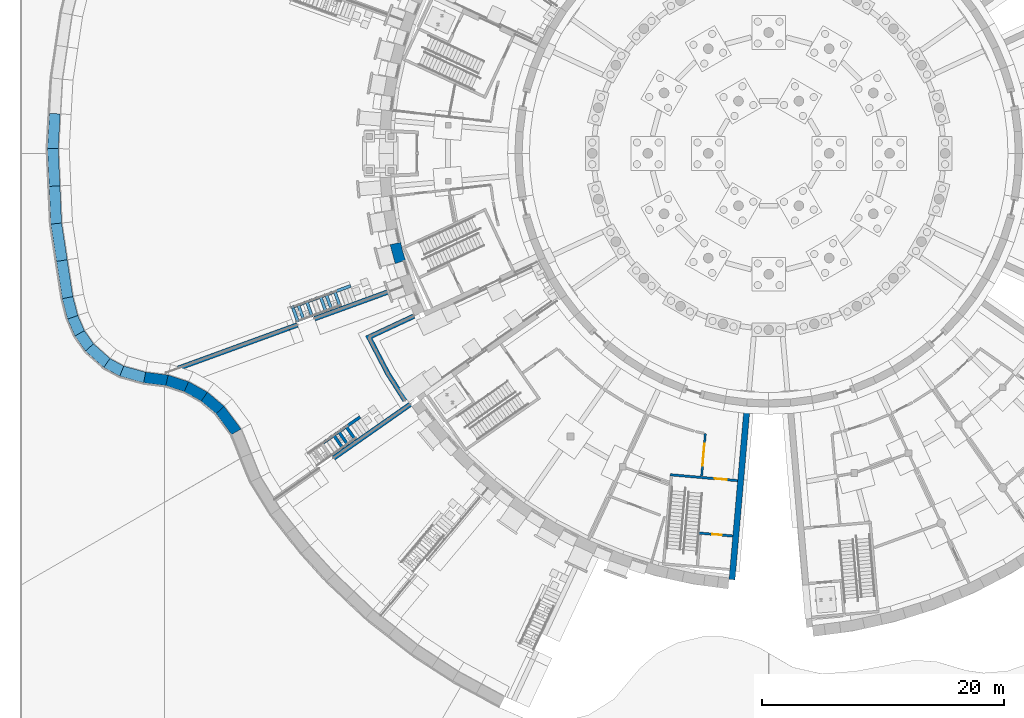
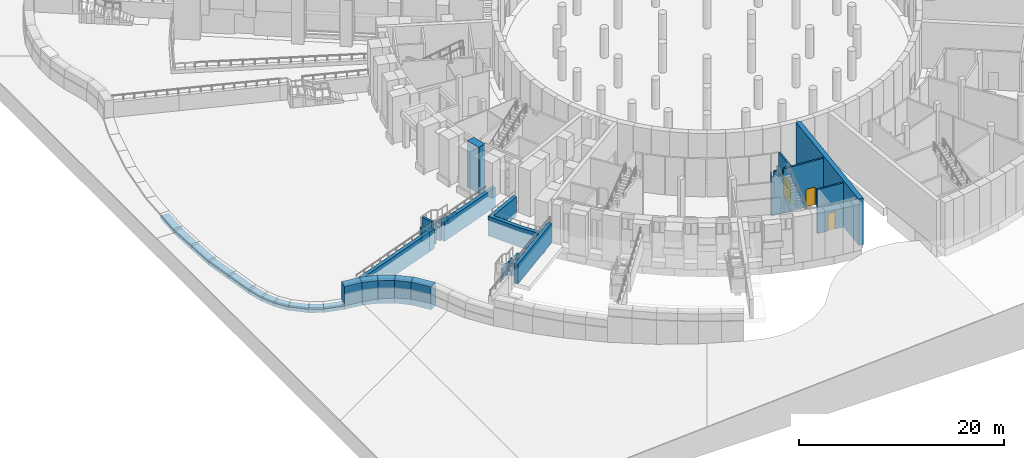
# One storey, part 37 of 65: 43 walls, 3 doors, 3 openings.
"""IFC4 building model written with IfcOpenShell, lengths in metres."""

from ifc_helpers import new_model, si_unit, direction, frame, frame_2d, origin, place, context, subcontext, project, spatial, polyline, rectangle, outline, extrude, material, layer, layer_set, type_object, element, fill, save


model = new_model("IFC4")

# Units and contexts
model_context = context("Model", 3, precision=1e-05, world=origin(), true_north=direction((0.0, 1.0)))
body_context = subcontext(model_context, "Body", "Model", "MODEL_VIEW")
ifc_project = project(units=[si_unit("LENGTHUNIT", "METRE"), si_unit("AREAUNIT", "SQUARE_METRE"), si_unit("VOLUMEUNIT", "CUBIC_METRE"), si_unit("PLANEANGLEUNIT", "RADIAN"), si_unit("MASSUNIT", "GRAM", prefix="KILO")], contexts=[model_context])

# Site, building, storey
site_placement = place(None, origin())
site = spatial("IfcSite", under=ifc_project, at=site_placement, CompositionType="ELEMENT")
building_placement = place(site_placement, origin())
building = spatial("IfcBuilding", under=site, at=building_placement, Name="Volute Hill Aquarium", CompositionType="ELEMENT")
storey_placement = place(building_placement, frame((0.0, 0.0, -5.5)))
storey = spatial("IfcBuildingStorey", under=building, at=storey_placement, Name="L00", CompositionType="ELEMENT", Elevation=-5.5)

# Wall, opening, door
ifc_material_1 = material(Name="Concrete C30/37", Category="concrete")
ifc_layer_1 = layer(ifc_material_1, 0.199951171875)
ifc_layer_set_1 = layer_set([ifc_layer_1], Name="Core wall 200 REI 60")
wall_type_1 = type_object("IfcWallType", Name="Core wall 200 REI 60", PredefinedType="SHEAR", material=ifc_layer_set_1)
wall_1_placement = place(storey_placement, frame((-2.56982421875, -27.0791015625, 0.0), z_axis=(0.0, 0.0, 1.0), x_axis=(-0.996195468136, 0.08714694065, 0.0)))
wall_1 = element("IfcWall", 1, at=wall_1_placement, inside=storey, type_object=wall_type_1, Name="wc/S2-B/L00/in", PredefinedType="SHEAR", context=body_context, shape_type="SweptSolid", body=[
    extrude(outline(polyline([(0.0, 0.0), (5.60009765625, 0.0), (5.60009765625, 5.25), (5.550048828125, 4.68994140625), (5.349853515625, 4.68994140625), (5.2998046875, 5.25), (4.87841796875, 5.25), (4.828369140625, 4.639892578125), (4.328369140625, 4.639892578125), (4.2783203125, 5.25), (0.0, 5.25), (0.0, 0.0)])), frame((0.0, 0.10009765625, 0.0), z_axis=(0.0, -1.0, 0.0), x_axis=(1.0, 0.0, 0.0)), (0.0, 0.0, 1.0), 0.199951171875),
])
opening_1_placement = place(wall_1_placement, frame((0.89990234375, 0.0, 0.0)))
opening_1 = element("IfcOpeningElement", 2, at=opening_1_placement, cuts=wall_1, Name="Opening D2.00.BS", PredefinedType="OPENING", context=body_context, shape_type="SweptSolid", body=[
    extrude(rectangle(XDim=1.0, YDim=2.10009765625, at=frame_2d((0.5, 1.050048828125))), frame((0.0, 0.10986328125, 0.0), z_axis=(0.0, -1.0, 0.0), x_axis=(1.0, 0.0, 0.0)), (0.0, 0.0, 1.0), 0.219970703125),
])
ifc_material_2 = material(Name="Timber, fire-rated", Category="wood")
door_type_1 = type_object("IfcDoorType", Name="Door 1000 x 2100 single EI1 30", OperationType="SINGLE_SWING_LEFT", PredefinedType="DOOR", material=ifc_material_2)
door_1_placement = place(opening_1_placement, origin())
door_1 = element("IfcDoor", 3, at=door_1_placement, inside=storey, type_object=door_type_1, Name="d/S2-B/L00/st", OperationType="SINGLE_SWING_RIGHT", OverallHeight=2.10009765625, OverallWidth=1.0, PredefinedType="DOOR", context=body_context, shape_type="SweptSolid", body=[
    extrude(rectangle(XDim=1.0, YDim=2.10009765625, at=frame_2d((0.5, 1.050048828125))), frame((0.0, 0.02490234375, 0.0), z_axis=(0.0, -1.0, 0.0), x_axis=(1.0, 0.0, 0.0)), (0.0, 0.0, 1.0), 0.050048828125),
])
fill(opening_1, door_1)

ifc_material_3 = material(Name="Gypsum board on steel studs", Category="steel")
ifc_layer_2 = layer(ifc_material_3, 0.175048828125)
ifc_layer_set_2 = layer_set([ifc_layer_2], Name="Corridor partition 175 EI 60")
wall_type_2 = type_object("IfcWallType", Name="Corridor partition 175 EI 60", PredefinedType="PARTITIONING", material=ifc_layer_set_2)
wall_2_placement = place(storey_placement, frame((-5.547119140625, -26.68798828125, 0.0), z_axis=(0.0, 0.0, 1.0), x_axis=(0.087185076517, 0.996192131284, 0.0)))
wall_2 = element("IfcWall", 4, at=wall_2_placement, inside=storey, type_object=wall_type_2, Name="pw/S2/L00/007", PredefinedType="PARTITIONING", context=body_context, shape_type="SweptSolid", body=[
    extrude(rectangle(XDim=3.5087890625, YDim=0.175048828125, at=frame_2d((1.75439453125, 0.0))), origin(), (0.0, 0.0, 1.0), 4.52001953125),
])
opening_2_placement = place(wall_2_placement, frame((0.8544921875, 0.0, 0.0)))
opening_2 = element("IfcOpeningElement", 5, at=opening_2_placement, cuts=wall_2, Name="Opening D2.00.02", PredefinedType="OPENING", context=body_context, shape_type="SweptSolid", body=[
    extrude(rectangle(XDim=1.800048828125, YDim=2.39990234375, at=frame_2d((0.89990234375, 1.199951171875))), frame((0.0, 0.097412109375, 0.0), z_axis=(0.0, -1.0, 0.0), x_axis=(1.0, 0.0, 0.0)), (0.0, 0.0, 1.0), 0.195068359375),
])
ifc_material_4 = material(Name="Timber, fire-rated", Category="wood")
door_type_2 = type_object("IfcDoorType", Name="Door 1800 x 2400 gallery double EI1 30", OperationType="DOUBLE_DOOR_SINGLE_SWING", PredefinedType="DOOR", material=ifc_material_4)
door_2_placement = place(opening_2_placement, origin())
door_2 = element("IfcDoor", 6, at=door_2_placement, inside=storey, type_object=door_type_2, Name="d/S2/L00/02", OperationType="SINGLE_SWING_LEFT", OverallHeight=2.39990234375, OverallWidth=1.800048828125, PredefinedType="DOOR", context=body_context, shape_type="SweptSolid", body=[
    extrude(rectangle(XDim=1.800048828125, YDim=2.39990234375, at=frame_2d((0.89990234375, 1.199951171875))), frame((0.0, 0.02490234375, 0.0), z_axis=(0.0, -1.0, 0.0), x_axis=(1.0, 0.0, 0.0)), (0.0, 0.0, 1.0), 0.050048828125),
])
fill(opening_2, door_2)

# Walls
ifc_material_5 = material(Name="Concrete C35/45", Category="concrete")
ifc_layer_3 = layer(ifc_material_5, 0.5)
ifc_layer_set_3 = layer_set([ifc_layer_3], Name="End wall 500 C35/45")
wall_type_3 = type_object("IfcWallType", Name="End wall 500 C35/45", PredefinedType="SHEAR", material=ifc_layer_set_3)
wall_3_placement = place(storey_placement, frame((-1.771728515625, -20.82470703125, 0.0), z_axis=(0.0, 0.0, 1.0), x_axis=(-0.087148361414, -0.996195343847, 0.0)))
element("IfcWall", 7, at=wall_3_placement, inside=storey, type_object=wall_type_3, Name="sw/S2/L00/endB", PredefinedType="SHEAR", context=body_context, shape_type="SweptSolid", body=[
    extrude(rectangle(XDim=14.500244140625, YDim=0.5, at=frame_2d((7.25, 0.0))), origin(), (0.0, 0.0, 1.0), 5.5),
])
ifc_material_6 = material(Name="Precast concrete C40/50", Category="concrete")
ifc_layer_4 = layer(ifc_material_6, 0.89990234375)
ifc_layer_set_4 = layer_set([ifc_layer_4], Name="Outer pier precast concrete C40/50 900")
wall_type_4 = type_object("IfcWallType", Name="Outer pier precast concrete C40/50 900", PredefinedType="NOTDEFINED", material=ifc_layer_set_4)
wall_4_placement = place(storey_placement, origin())
element("IfcWall", 8, at=wall_4_placement, inside=storey, type_object=wall_type_4, Name="Outer pier OWP S1 L00 9", PredefinedType="NOTDEFINED", context=body_context, shape_type="SweptSolid", body=[
    extrude(outline(polyline([(-30.4482421875, -7.361083984375), (-31.326904296875, -7.555908203125), (-30.90771484375, -9.119873046875), (-30.049560546875, -8.84912109375), (-30.281494140625, -8.114013671875), (-30.4482421875, -7.361083984375)])), origin(), (0.0, 0.0, 1.0), 5.5),
])
ifc_material_7 = material(Name="Concrete C30/37", Category="concrete")
ifc_layer_5 = layer(ifc_material_7, 0.39990234375)
ifc_layer_set_5 = layer_set([ifc_layer_5], Name="Retaining wall C30/37 400")
wall_type_5 = type_object("IfcWallType", Name="Retaining wall C30/37 400", PredefinedType="SOLIDWALL", material=ifc_layer_set_5)
wall_5_placement = place(storey_placement, frame((-30.30517578125, -11.030029296875, -0.5), z_axis=(0.0, 0.0, 1.0), x_axis=(-0.939682860451, -0.342046958435, 0.0)))
element("IfcWall", 9, at=wall_5_placement, inside=storey, type_object=wall_type_5, Name="rw/200/L00/0", PredefinedType="SOLIDWALL", context=body_context, shape_type="SweptSolid", body=[
    extrude(rectangle(XDim=7.739990234375, YDim=0.39990234375, at=frame_2d((3.8701171875, 0.0))), origin(), (0.0, 0.0, 1.0), 2.324951171875),
])
wall_6_placement = place(storey_placement, frame((-38.98779296875, -14.1904296875, -0.5), z_axis=(0.0, 0.0, 1.0), x_axis=(-0.939652650954, -0.342129939578, 0.0)))
element("IfcWall", 10, at=wall_6_placement, inside=storey, type_object=wall_type_5, Name="rw/200/L00/1", PredefinedType="SOLIDWALL", context=body_context, shape_type="SweptSolid", body=[
    extrude(rectangle(XDim=0.760009765625, YDim=0.39990234375, at=frame_2d((0.3798828125, 0.0))), origin(), (0.0, 0.0, 1.0), 2.324951171875),
])
wall_7_placement = place(storey_placement, frame((0.0, 0.0, -0.5)))
element("IfcWall", 11, at=wall_7_placement, inside=storey, type_object=wall_type_5, Name="rw/200/L00/2", PredefinedType="SOLIDWALL", context=body_context, shape_type="SweptSolid", body=[
    extrude(outline(polyline([(-39.633544921875, -14.638427734375), (-39.7705078125, -14.262451171875), (-50.638671875, -18.218017578125), (-49.77197265625, -18.328369140625), (-39.633544921875, -14.638427734375)])), origin(), (0.0, 0.0, 1.0), 2.324951171875),
])
wall_8_placement = place(storey_placement, frame((-29.6533203125, -20.763427734375, 0.875), z_axis=(0.0, 0.0, 1.0), x_axis=(-0.819147443385, -0.573583007067, 0.0)))
element("IfcWall", 12, at=wall_8_placement, inside=storey, type_object=wall_type_5, Name="rw/215/L00/0", PredefinedType="SOLIDWALL", context=body_context, shape_type="SweptSolid", body=[
    extrude(rectangle(XDim=7.73974609375, YDim=0.39990234375, at=frame_2d((3.869873046875, 0.0))), origin(), (0.0, 0.0, 1.0), 2.324951171875),
])
wall_9_placement = place(storey_placement, frame((0.0, 0.0, -0.5)))
element("IfcWall", 13, at=wall_9_placement, inside=storey, type_object=wall_type_5, Name="rw/CFB10.0/L00/0", PredefinedType="SOLIDWALL", context=body_context, shape_type="SweptSolid", body=[
    extrude(outline(polyline([(-29.427001953125, -13.28076171875), (-33.35595703125, -15.11279296875), (-31.69677734375, -18.30029296875), (-30.259033203125, -20.55712890625), (-29.921630859375, -20.34228515625), (-31.35009765625, -18.10009765625), (-32.808349609375, -15.298828125), (-29.273681640625, -13.650634765625), (-29.427001953125, -13.28076171875)])), origin(), (0.0, 0.0, 1.0), 2.324951171875),
])

# Wall, opening, door
ifc_material_8 = material(Name="Masonry blockwork", Category="masonry")
ifc_layer_6 = layer(ifc_material_8, 0.199951171875)
ifc_layer_set_6 = layer_set([ifc_layer_6], Name="Riser wall 200 EI 60")
wall_type_6 = type_object("IfcWallType", Name="Riser wall 200 EI 60", PredefinedType="SOLIDWALL", material=ifc_layer_set_6)
wall_10_placement = place(storey_placement, frame((-2.970703125, -31.66162109375, 0.0), z_axis=(0.0, 0.0, 1.0), x_axis=(-0.996191351034, 0.087193991338, 0.0)))
wall_10 = element("IfcWall", 14, at=wall_10_placement, inside=storey, type_object=wall_type_6, Name="wc/S2-B/L00/front", PredefinedType="SOLIDWALL", context=body_context, shape_type="SweptSolid", body=[
    extrude(rectangle(XDim=2.800048828125, YDim=0.199951171875, at=frame_2d((1.39990234375, 0.0))), origin(), (0.0, 0.0, 1.0), 5.25),
])
opening_3_placement = place(wall_10_placement, frame((0.89990234375, 0.0, 0.0)))
opening_3 = element("IfcOpeningElement", 15, at=opening_3_placement, cuts=wall_10, Name="Opening D2.00.BR", PredefinedType="OPENING", context=body_context, shape_type="SweptSolid", body=[
    extrude(rectangle(XDim=0.800048828125, YDim=2.10009765625, at=frame_2d((0.39990234375, 1.050048828125))), frame((0.0, 0.10986328125, 0.0), z_axis=(0.0, -1.0, 0.0), x_axis=(1.0, 0.0, 0.0)), (0.0, 0.0, 1.0), 0.219970703125),
])
ifc_material_9 = material(Name="Steel, fire-rated", Category="steel")
door_type_3 = type_object("IfcDoorType", Name="Door 800 x 2100 riser EI1 30", OperationType="SINGLE_SWING_LEFT", PredefinedType="DOOR", material=ifc_material_9)
door_3_placement = place(opening_3_placement, origin())
door_3 = element("IfcDoor", 16, at=door_3_placement, inside=storey, type_object=door_type_3, Name="d/S2-B/L00/rs", OperationType="SINGLE_SWING_LEFT", OverallHeight=2.10009765625, OverallWidth=0.800048828125, PredefinedType="DOOR", context=body_context, shape_type="SweptSolid", body=[
    extrude(rectangle(XDim=0.800048828125, YDim=2.10009765625, at=frame_2d((0.39990234375, 1.050048828125))), frame((0.0, 0.02490234375, 0.0), z_axis=(0.0, -1.0, 0.0), x_axis=(1.0, 0.0, 0.0)), (0.0, 0.0, 1.0), 0.050048828125),
])
fill(opening_3, door_3)

# Walls
ifc_material_10 = material(Name="Concrete C30/37", Category="concrete")
ifc_layer_7 = layer(ifc_material_10, 0.89990234375)
ifc_layer_set_7 = layer_set([ifc_layer_7], Name="Site edge retaining wall C30/37 900")
wall_type_7 = type_object("IfcWallType", Name="Site edge retaining wall C30/37 900", PredefinedType="SOLIDWALL", material=ifc_layer_set_7)
wall_11_placement = place(storey_placement, frame((0.0, 0.0, -0.5)))
element("IfcWall", 17, at=wall_11_placement, inside=storey, type_object=wall_type_7, Name="rw/E0FB1/L00/0", PredefinedType="SOLIDWALL", context=body_context, shape_type="SweptSolid", body=[
    extrude(outline(polyline([(-51.726318359375, -18.987060546875), (-49.888916015625, -19.220703125), (-49.691162109375, -18.338623046875), (-51.548583984375, -18.102294921875), (-51.548583984375, -18.102294921875), (-51.726318359375, -18.987060546875), (-51.726318359375, -18.987060546875)])), origin(), (0.0, 0.0, 1.0), 2.72509765625),
])
wall_12_placement = place(storey_placement, frame((0.0, 0.0, -0.5)))
element("IfcWall", 18, at=wall_12_placement, inside=storey, type_object=wall_type_7, Name="rw/E1FB1/L00/0", PredefinedType="SOLIDWALL", context=body_context, shape_type="SweptSolid", body=[
    extrude(outline(polyline([(-49.888916015625, -19.220703125), (-48.359619140625, -19.71826171875), (-47.997802734375, -18.889404296875), (-47.997802734375, -18.889404296875), (-49.691162109375, -18.338623046875), (-49.888916015625, -19.220703125), (-49.888916015625, -19.220703125)])), origin(), (0.0, 0.0, 1.0), 2.72509765625),
])
wall_13_placement = place(storey_placement, frame((0.0, 0.0, -0.5)))
element("IfcWall", 19, at=wall_13_placement, inside=storey, type_object=wall_type_7, Name="rw/E2FB1/L00/0", PredefinedType="SOLIDWALL", context=body_context, shape_type="SweptSolid", body=[
    extrude(outline(polyline([(-46.9541015625, -20.501953125), (-46.9541015625, -20.501953125), (-46.439208984375, -19.7587890625), (-46.439208984375, -19.7587890625), (-47.997802734375, -18.889404296875), (-48.359619140625, -19.71826171875), (-46.9541015625, -20.501953125)])), origin(), (0.0, 0.0, 1.0), 2.72509765625),
])
wall_14_placement = place(storey_placement, frame((0.0, 0.0, -0.5)))
element("IfcWall", 20, at=wall_14_placement, inside=storey, type_object=wall_type_7, Name="rw/E3FB1/L00/0", PredefinedType="SOLIDWALL", context=body_context, shape_type="SweptSolid", body=[
    extrude(outline(polyline([(-46.9541015625, -20.501953125), (-45.72265625, -21.54541015625), (-45.062744140625, -20.925048828125), (-46.439208984375, -19.7587890625), (-46.9541015625, -20.501953125)])), origin(), (0.0, 0.0, 1.0), 2.72509765625),
])
wall_15_placement = place(storey_placement, frame((0.0, 0.0, -0.5)))
element("IfcWall", 21, at=wall_15_placement, inside=storey, type_object=wall_type_7, Name="rw/E4FB1/L00/0", PredefinedType="SOLIDWALL", context=body_context, shape_type="SweptSolid", body=[
    extrude(outline(polyline([(-44.443603515625, -23.259033203125), (-44.443603515625, -23.259033203125), (-43.65234375, -22.814453125), (-43.65234375, -22.814453125), (-45.062744140625, -20.925048828125), (-45.062744140625, -20.925048828125), (-45.72265625, -21.54541015625), (-45.72265625, -21.54541015625), (-44.443603515625, -23.259033203125)])), origin(), (0.0, 0.0, 1.0), 2.72509765625),
])
wall_16_placement = place(storey_placement, frame((0.0, 0.0, -0.5)))
element("IfcWall", 22, at=wall_16_placement, inside=storey, type_object=wall_type_7, Name="rw/E96LC/L00/1", PredefinedType="SOLIDWALL", context=body_context, shape_type="SweptSolid", body=[
    extrude(outline(polyline([(-59.517578125, 3.31591796875), (-59.680419921875, 0.39111328125), (-58.779296875, 0.38623046875), (-58.618896484375, 3.265869140625), (-59.517578125, 3.31591796875)])), origin(), (0.0, 0.0, 1.0), 0.39990234375),
])
wall_17_placement = place(storey_placement, frame((0.0, 0.0, -0.5)))
element("IfcWall", 23, at=wall_17_placement, inside=storey, type_object=wall_type_7, Name="rw/E97LC/L00/0", PredefinedType="SOLIDWALL", context=body_context, shape_type="SweptSolid", body=[
    extrude(outline(polyline([(-59.680419921875, 0.39111328125), (-59.54150390625, -2.728759765625), (-58.642333984375, -2.688720703125), (-58.779296875, 0.38623046875), (-58.779296875, 0.38623046875), (-59.680419921875, 0.39111328125), (-59.680419921875, 0.39111328125)])), origin(), (0.0, 0.0, 1.0), 0.39990234375),
])
wall_18_placement = place(storey_placement, frame((0.0, 0.0, -0.5)))
element("IfcWall", 24, at=wall_18_placement, inside=storey, type_object=wall_type_7, Name="rw/E97LC/L00/1", PredefinedType="SOLIDWALL", context=body_context, shape_type="SweptSolid", body=[
    extrude(outline(polyline([(-59.402587890625, -5.850341796875), (-59.402587890625, -5.850341796875), (-58.505615234375, -5.761962890625), (-58.505615234375, -5.761962890625), (-58.642333984375, -2.688720703125), (-59.54150390625, -2.728759765625), (-59.402587890625, -5.850341796875)])), origin(), (0.0, 0.0, 1.0), 0.39990234375),
])
wall_19_placement = place(storey_placement, frame((0.0, 0.0, -0.5)))
element("IfcWall", 25, at=wall_19_placement, inside=storey, type_object=wall_type_7, Name="rw/E98LC/L00/0", PredefinedType="SOLIDWALL", context=body_context, shape_type="SweptSolid", body=[
    extrude(outline(polyline([(-59.402587890625, -5.850341796875), (-58.929931640625, -8.9384765625), (-58.040283203125, -8.802490234375), (-58.505615234375, -5.761962890625), (-59.402587890625, -5.850341796875)])), origin(), (0.0, 0.0, 1.0), 0.39990234375),
])
wall_20_placement = place(storey_placement, frame((0.0, 0.0, -0.5)))
element("IfcWall", 26, at=wall_20_placement, inside=storey, type_object=wall_type_7, Name="rw/E98LC/L00/1", PredefinedType="SOLIDWALL", context=body_context, shape_type="SweptSolid", body=[
    extrude(outline(polyline([(-58.45751953125, -12.02587890625), (-58.45751953125, -12.02587890625), (-57.57470703125, -11.84375), (-57.57470703125, -11.84375), (-58.040283203125, -8.802490234375), (-58.929931640625, -8.9384765625), (-58.45751953125, -12.02587890625)])), origin(), (0.0, 0.0, 1.0), 0.39990234375),
])
wall_21_placement = place(storey_placement, frame((0.0, 0.0, -0.5)))
element("IfcWall", 27, at=wall_21_placement, inside=storey, type_object=wall_type_7, Name="rw/E99LC/L00/0", PredefinedType="SOLIDWALL", context=body_context, shape_type="SweptSolid", body=[
    extrude(outline(polyline([(-58.45751953125, -12.02587890625), (-58.017822265625, -13.71044921875), (-57.164794921875, -13.41552734375), (-57.57470703125, -11.84375), (-58.45751953125, -12.02587890625)])), origin(), (0.0, 0.0, 1.0), 0.39990234375),
])
wall_22_placement = place(storey_placement, frame((0.0, 0.0, -0.5)))
element("IfcWall", 28, at=wall_22_placement, inside=storey, type_object=wall_type_7, Name="rw/E100LC/L00/0", PredefinedType="SOLIDWALL", context=body_context, shape_type="SweptSolid", body=[
    extrude(outline(polyline([(-58.017822265625, -13.71044921875), (-57.408447265625, -15.111572265625), (-56.61865234375, -14.67041015625), (-57.164794921875, -13.41552734375), (-57.164794921875, -13.41552734375), (-58.017822265625, -13.71044921875), (-58.017822265625, -13.71044921875)])), origin(), (0.0, 0.0, 1.0), 0.39990234375),
])
wall_23_placement = place(storey_placement, frame((0.0, 0.0, -0.5)))
element("IfcWall", 29, at=wall_23_placement, inside=storey, type_object=wall_type_7, Name="rw/E101LC/L00/0", PredefinedType="SOLIDWALL", context=body_context, shape_type="SweptSolid", body=[
    extrude(outline(polyline([(-56.541748046875, -16.355712890625), (-56.541748046875, -16.355712890625), (-55.86279296875, -15.755859375), (-55.86279296875, -15.755859375), (-56.61865234375, -14.67041015625), (-56.61865234375, -14.67041015625), (-57.408447265625, -15.111572265625), (-57.408447265625, -15.111572265625), (-56.541748046875, -16.355712890625)])), origin(), (0.0, 0.0, 1.0), 0.39990234375),
])
wall_24_placement = place(storey_placement, frame((0.0, 0.0, -0.5)))
element("IfcWall", 30, at=wall_24_placement, inside=storey, type_object=wall_type_7, Name="rw/E102LC/L00/0", PredefinedType="SOLIDWALL", context=body_context, shape_type="SweptSolid", body=[
    extrude(outline(polyline([(-56.541748046875, -16.355712890625), (-55.027099609375, -17.715576171875), (-54.50341796875, -16.976318359375), (-55.86279296875, -15.755859375), (-56.541748046875, -16.355712890625)])), origin(), (0.0, 0.0, 1.0), 0.39990234375),
])
wall_25_placement = place(storey_placement, frame((0.0, 0.0, -0.5)))
element("IfcWall", 31, at=wall_25_placement, inside=storey, type_object=wall_type_7, Name="rw/E103LC/L00/0", PredefinedType="SOLIDWALL", context=body_context, shape_type="SweptSolid", body=[
    extrude(outline(polyline([(-55.027099609375, -17.715576171875), (-53.701171875, -18.441162109375), (-53.701171875, -18.441162109375), (-53.360595703125, -17.601318359375), (-53.360595703125, -17.601318359375), (-54.50341796875, -16.976318359375), (-54.50341796875, -16.976318359375), (-55.027099609375, -17.715576171875), (-55.027099609375, -17.715576171875)])), origin(), (0.0, 0.0, 1.0), 0.39990234375),
])
wall_26_placement = place(storey_placement, frame((0.0, 0.0, -0.5)))
element("IfcWall", 32, at=wall_26_placement, inside=storey, type_object=wall_type_7, Name="rw/E104LC/L00/0", PredefinedType="SOLIDWALL", context=body_context, shape_type="SweptSolid", body=[
    extrude(outline(polyline([(-53.701171875, -18.441162109375), (-51.726318359375, -18.987060546875), (-51.548583984375, -18.102294921875), (-53.360595703125, -17.601318359375), (-53.701171875, -18.441162109375)])), origin(), (0.0, 0.0, 1.0), 0.39990234375),
])
ifc_material_11 = material(Name="Concrete C30/37", Category="concrete")
ifc_layer_8 = layer(ifc_material_11, 0.25)
ifc_layer_set_8 = layer_set([ifc_layer_8], Name="Stair head parapet C30/37 250")
wall_type_8 = type_object("IfcWallType", Name="Stair head parapet C30/37 250", PredefinedType="SOLIDWALL", material=ifc_layer_set_8)
wall_27_placement = place(storey_placement, frame((-38.938720703125, -13.959716796875, 1.3740234375), z_axis=(0.0, 0.0, 1.0), x_axis=(-0.341988074343, 0.939704292321, 0.0)))
element("IfcWall", 33, at=wall_27_placement, inside=storey, type_object=wall_type_8, Name="sw/ST200/L00/g", PredefinedType="SOLIDWALL", context=body_context, shape_type="SweptSolid", body=[
    extrude(rectangle(XDim=1.199951171875, YDim=0.25, at=frame_2d((0.60009765625, 0.0))), origin(), (0.0, 0.0, 1.0), 1.10107421875),
])
ifc_material_12 = material(Name="Concrete C30/37", Category="concrete")
ifc_layer_9 = layer(ifc_material_12, 0.25)
ifc_layer_set_9 = layer_set([ifc_layer_9], Name="Stair string wall C30/37 250")
wall_type_9 = type_object("IfcWallType", Name="Stair string wall C30/37 250", PredefinedType="SOLIDWALL", material=ifc_layer_set_9)
wall_28_placement = place(storey_placement, frame((-34.58544921875, -10.965087890625, -0.5), z_axis=(0.0, 0.0, 1.0), x_axis=(-0.939626232349, -0.342202489004, 0.0)))
element("IfcWall", 34, at=wall_28_placement, inside=storey, type_object=wall_type_9, Name="sw/ST200/L00/1", PredefinedType="SOLIDWALL", context=body_context, shape_type="SweptSolid", body=[
    extrude(rectangle(XDim=1.280029296875, YDim=0.25, at=frame_2d((0.64013671875, 0.0))), origin(), (0.0, 0.0, 1.0), 0.800048828125),
])
wall_29_placement = place(storey_placement, frame((-35.7880859375, -11.403076171875, -0.5), z_axis=(0.0, 0.0, 1.0), x_axis=(-0.9397221254, -0.341939069183, 0.0)))
element("IfcWall", 35, at=wall_29_placement, inside=storey, type_object=wall_type_9, Name="sw/ST200/L00/2", PredefinedType="SOLIDWALL", context=body_context, shape_type="SweptSolid", body=[
    extrude(rectangle(XDim=1.5, YDim=0.25, at=frame_2d((0.75, 0.0))), origin(), (0.0, 0.0, 1.0), 1.06494140625),
])
wall_30_placement = place(storey_placement, frame((-37.19775390625, -11.916015625, -0.5), z_axis=(0.0, 0.0, 1.0), x_axis=(-0.939681996159, -0.342049332837, 0.0)))
element("IfcWall", 36, at=wall_30_placement, inside=storey, type_object=wall_type_9, Name="sw/ST200/L00/3", PredefinedType="SOLIDWALL", context=body_context, shape_type="SweptSolid", body=[
    extrude(rectangle(XDim=0.9599609375, YDim=0.25, at=frame_2d((0.47998046875, 0.0))), origin(), (0.0, 0.0, 1.0), 1.263916015625),
])
wall_31_placement = place(storey_placement, frame((-38.099853515625, -12.244384765625, -0.5), z_axis=(0.0, 0.0, 1.0), x_axis=(-0.9397221254, -0.341939069183, 0.0)))
element("IfcWall", 37, at=wall_31_placement, inside=storey, type_object=wall_type_9, Name="sw/ST200/L00/4", PredefinedType="SOLIDWALL", context=body_context, shape_type="SweptSolid", body=[
    extrude(rectangle(XDim=1.5, YDim=0.25, at=frame_2d((0.75, 0.0))), origin(), (0.0, 0.0, 1.0), 1.676025390625),
])
for number, where, z_axis, x_axis, name in (
    (38, (-35.452392578125, -12.69091796875, -0.5), (0.0, 0.0, 1.0), (-0.342121553668, 0.939655704243, 0.0), "sw/ST200/L00/xa"),
    (39, (-36.627197265625, -13.118408203125, -0.5), (0.0, 0.0, 1.0), (-0.341972880786, 0.939709821598, 0.0), "sw/ST200/L00/xb"),
):
    element("IfcWall", number, at=place(storey_placement, frame(where, z_axis=z_axis, x_axis=x_axis)), inside=storey, type_object=wall_type_9, Name=name, PredefinedType="SOLIDWALL", context=body_context, shape_type="SweptSolid", body=[
        extrude(rectangle(XDim=1.449951171875, YDim=0.25, at=frame_2d((0.72509765625, 0.0))), origin(), (0.0, 0.0, 1.0), 1.06494140625),
    ])
for number, where, z_axis, x_axis, name in (
    (40, (-37.76416015625, -13.5322265625, -0.5), (0.0, 0.0, 1.0), (-0.341972880786, 0.939709821598, 0.0), "sw/ST200/L00/xc"),
    (41, (-38.938720703125, -13.959716796875, -0.5), (0.0, 0.0, 1.0), (-0.342121553668, 0.939655704243, 0.0), "sw/ST200/L00/xd"),
):
    element("IfcWall", number, at=place(storey_placement, frame(where, z_axis=z_axis, x_axis=x_axis)), inside=storey, type_object=wall_type_9, Name=name, PredefinedType="SOLIDWALL", context=body_context, shape_type="SweptSolid", body=[
        extrude(rectangle(XDim=1.449951171875, YDim=0.25, at=frame_2d((0.72509765625, 0.0))), origin(), (0.0, 0.0, 1.0), 1.676025390625),
    ])
wall_32_placement = place(storey_placement, frame((-36.1572265625, -12.947265625, -0.5), z_axis=(0.0, 0.0, 1.0), x_axis=(-0.342121553668, 0.939655704243, 0.0)))
element("IfcWall", 42, at=wall_32_placement, inside=storey, type_object=wall_type_9, Name="sw/ST200/L00/xe", PredefinedType="SOLIDWALL", context=body_context, shape_type="SweptSolid", body=[
    extrude(rectangle(XDim=1.449951171875, YDim=0.25, at=frame_2d((0.72509765625, 0.0))), origin(), (0.0, 0.0, 1.0), 1.06494140625),
])
wall_33_placement = place(storey_placement, frame((-38.468994140625, -13.788818359375, -0.5), z_axis=(0.0, 0.0, 1.0), x_axis=(-0.341972880786, 0.939709821598, 0.0)))
element("IfcWall", 43, at=wall_33_placement, inside=storey, type_object=wall_type_9, Name="sw/ST200/L00/xf", PredefinedType="SOLIDWALL", context=body_context, shape_type="SweptSolid", body=[
    extrude(rectangle(XDim=1.449951171875, YDim=0.25, at=frame_2d((0.72509765625, 0.0))), origin(), (0.0, 0.0, 1.0), 1.676025390625),
])
wall_34_placement = place(storey_placement, frame((-33.8046875, -21.80859375, 0.875), z_axis=(0.0, 0.0, 1.0), x_axis=(-0.819124363442, -0.573615966667, 0.0)))
element("IfcWall", 44, at=wall_34_placement, inside=storey, type_object=wall_type_9, Name="sw/ST215/L00/1", PredefinedType="SOLIDWALL", context=body_context, shape_type="SweptSolid", body=[
    extrude(rectangle(XDim=1.27978515625, YDim=0.25, at=frame_2d((0.639892578125, 0.0))), origin(), (0.0, 0.0, 1.0), 0.800048828125),
])
wall_35_placement = place(storey_placement, frame((-34.85302734375, -22.542724609375, 0.875), z_axis=(0.0, 0.0, 1.0), x_axis=(-0.819163097304, -0.573560650686, 0.0)))
element("IfcWall", 45, at=wall_35_placement, inside=storey, type_object=wall_type_9, Name="sw/ST215/L00/2", PredefinedType="SOLIDWALL", context=body_context, shape_type="SweptSolid", body=[
    extrude(rectangle(XDim=1.5, YDim=0.25, at=frame_2d((0.75, 0.0))), origin(), (0.0, 0.0, 1.0), 1.06494140625),
])
wall_36_placement = place(storey_placement, frame((-36.081787109375, -23.403076171875, 0.875), z_axis=(0.0, 0.0, 1.0), x_axis=(-0.819196073788, -0.573513550572, 0.0)))
element("IfcWall", 46, at=wall_36_placement, inside=storey, type_object=wall_type_9, Name="sw/ST215/L00/3", PredefinedType="SOLIDWALL", context=body_context, shape_type="SweptSolid", body=[
    extrude(rectangle(XDim=0.9599609375, YDim=0.25, at=frame_2d((0.47998046875, 0.0))), origin(), (0.0, 0.0, 1.0), 1.263916015625),
])
for number, where, z_axis, x_axis, name in (
    (47, (-34.195556640625, -23.69970703125, 0.875), (0.0, 0.0, 1.0), (-0.573518847987, 0.819192365079, 0.0), "sw/ST215/L00/xa"),
    (48, (-35.219482421875, -24.416748046875, 0.875), (0.0, 0.0, 1.0), (-0.573631830683, 0.819113253969, 0.0), "sw/ST215/L00/xb"),
    (49, (-34.809814453125, -24.1298828125, 0.875), (0.0, 0.0, 1.0), (-0.573631830683, 0.819113253969, 0.0), "sw/ST215/L00/xe"),
):
    element("IfcWall", number, at=place(storey_placement, frame(where, z_axis=z_axis, x_axis=x_axis)), inside=storey, type_object=wall_type_9, Name=name, PredefinedType="SOLIDWALL", context=body_context, shape_type="SweptSolid", body=[
        extrude(rectangle(XDim=1.449951171875, YDim=0.25, at=frame_2d((0.72509765625, 0.0))), origin(), (0.0, 0.0, 1.0), 1.06494140625),
    ])

save(model, "model.ifc")
